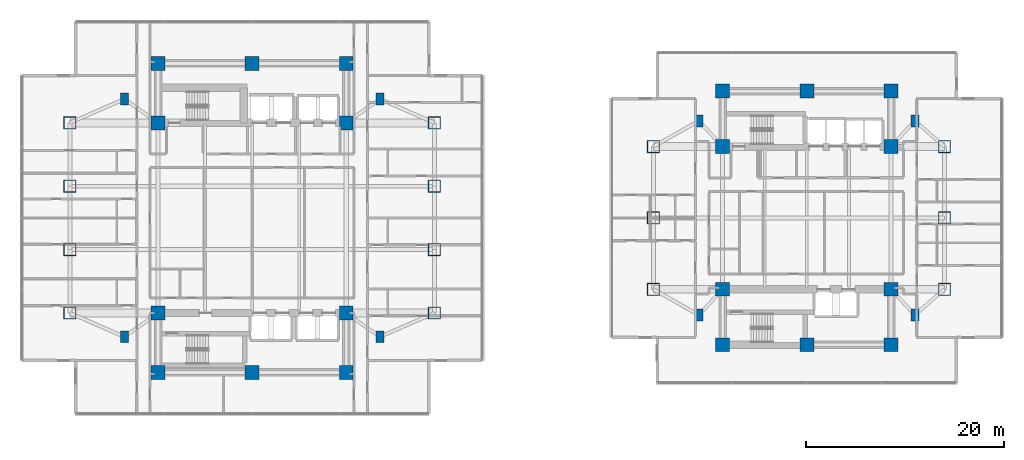
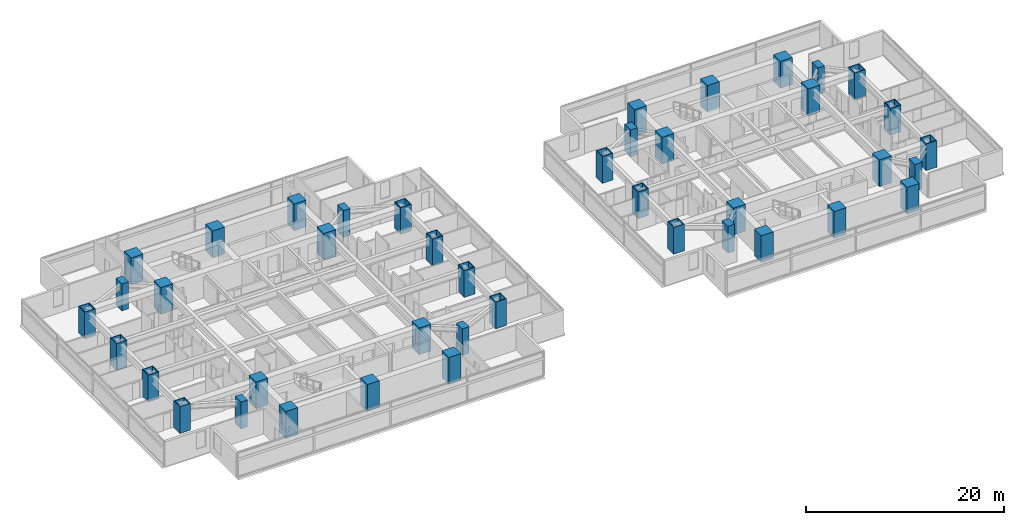
# One storey, part 1 of 26: 42 columns.
"""IFC4 building model written with IfcOpenShell, lengths in metres."""

import ifcopenshell
import ifcopenshell.guid

model = None  # the IFC model being written
_history = None  # IfcOwnerHistory: only IFC2X3 demands one
_inside = {}  # id of a spatial element -> (the spatial element, [elements in it])
_under = {}  # id of a project, library or spatial element -> (it, [spatial elements below it])
_declared = {}  # id of a project -> (the project, [libraries it declares])
_typed = {}  # id of a type object -> (the type object, [elements of that type])
_made_of = {}  # id of a material, layer set ... -> (it, [elements and type objects made of it])


def new_model(schema):
    """Start an empty IFC model of exactly this schema.

    Asked for "IFC4X3", IfcOpenShell would pick the latest addendum, in which some entities
    have other attributes; the version numbers below select the first issue.
    IFC2X3 requires an IfcOwnerHistory on every rooted entity: one is made here for all.
    """
    global model, _history
    if schema == "IFC4X3":
        model = ifcopenshell.file(schema_version=(4, 3, 0, 0))
    else:
        model = ifcopenshell.file(schema=schema)
    _inside.clear()
    _under.clear()
    _declared.clear()
    _typed.clear()
    _made_of.clear()
    _history = None
    if model.schema == "IFC2X3":
        org = make("IfcOrganization", Name="unknown")
        user = make(
            "IfcPersonAndOrganization",
            ThePerson=make("IfcPerson", FamilyName="unknown"),
            TheOrganization=org,
        )
        app = make(
            "IfcApplication",
            ApplicationDeveloper=org,
            Version="unknown",
            ApplicationFullName="unknown",
            ApplicationIdentifier="unknown",
        )
        _history = make(
            "IfcOwnerHistory",
            OwningUser=user,
            OwningApplication=app,
            ChangeAction="ADDED",
            CreationDate=0,
        )
    return model


def make(cls, **values):
    """One entity of the class cls with the attributes given. An attribute that is None is left unset."""
    return model.create_entity(
        cls, **{name: value for name, value in values.items() if value is not None}
    )


def rooted(cls, **values):
    """An entity with a GlobalId (a new one), such as an element, a storey or a relation."""
    return make(cls, GlobalId=ifcopenshell.guid.new(), OwnerHistory=_history, **values)


def si_unit(unit_type, name, prefix=None):
    """IfcSIUnit, for example si_unit("LENGTHUNIT", "METRE", prefix="MILLI")."""
    return make("IfcSIUnit", UnitType=unit_type, Prefix=prefix, Name=name)


def assignment(units):
    """IfcUnitAssignment: the units of a project."""
    return None if units is None else make("IfcUnitAssignment", Units=units)


def point(xyz):
    """IfcCartesianPoint."""
    return None if xyz is None else make("IfcCartesianPoint", Coordinates=xyz)


def direction(xyz):
    """IfcDirection."""
    return None if xyz is None else make("IfcDirection", DirectionRatios=xyz)


def frame(location, z_axis=None, x_axis=None):
    """IfcAxis2Placement3D, a coordinate frame: its origin and axes. An axis left out is left unset."""
    return make(
        "IfcAxis2Placement3D",
        Location=point(location),
        Axis=direction(z_axis),
        RefDirection=direction(x_axis),
    )


def frame_2d(location, x_axis=None):
    """IfcAxis2Placement2D, a coordinate frame in the plane: its origin and x axis."""
    return make(
        "IfcAxis2Placement2D", Location=point(location), RefDirection=direction(x_axis)
    )


def origin():
    """The frame at (0, 0, 0) with its axes left unset."""
    return frame((0.0, 0.0, 0.0))


def origin_2d():
    """The frame at (0, 0) in the plane with its x axis left unset."""
    return frame_2d((0.0, 0.0))


def place(relative_to, where):
    """IfcLocalPlacement: puts the frame where relative to a parent placement (None: the world)."""
    return make(
        "IfcLocalPlacement", PlacementRelTo=relative_to, RelativePlacement=where
    )


def context(
    kind, dimensions, precision=None, world=None, true_north=None, identifier=None
):
    """IfcGeometricRepresentationContext, for example the 3D "Model" context."""
    return make(
        "IfcGeometricRepresentationContext",
        ContextIdentifier=identifier,
        ContextType=kind,
        CoordinateSpaceDimension=dimensions,
        Precision=precision,
        WorldCoordinateSystem=world,
        TrueNorth=true_north,
    )


def subcontext(parent, identifier, kind, view, scale=None):
    """IfcGeometricRepresentationSubContext, for example "Body" below "Model"."""
    return make(
        "IfcGeometricRepresentationSubContext",
        ContextIdentifier=identifier,
        ContextType=kind,
        ParentContext=parent,
        TargetScale=scale,
        TargetView=view,
    )


def project(units=None, contexts=None):
    """IfcProject with its units and contexts."""
    return rooted(
        "IfcProject",
        Name="project",
        RepresentationContexts=contexts,
        UnitsInContext=assignment(units),
    )


def spatial(cls, under=None, at=None, **own):
    """A site, building, storey or space (cls), placed at a placement, below another one or the project."""
    s = rooted(cls, ObjectPlacement=at, **own)
    if under is not None:
        _under.setdefault(under.id(), (under, []))[1].append(s)
    return s


def profile(cls, at=None, kind="AREA", **sizes):
    """A parametric profile (cls). Its sizes go by their IFC names, for example OverallWidth=200.0."""
    return make(cls, ProfileType=kind, Position=at, **sizes)


def rectangle(**sizes):
    """IfcRectangleProfileDef."""
    return profile("IfcRectangleProfileDef", **sizes)


def hollow_rectangle(**sizes):
    """IfcRectangleHollowProfileDef."""
    return profile("IfcRectangleHollowProfileDef", **sizes)


def extrude(swept, where, along, depth):
    """IfcExtrudedAreaSolid: the profile swept, set in the frame where, extruded along a direction by depth."""
    return make(
        "IfcExtrudedAreaSolid",
        SweptArea=swept,
        Position=where,
        ExtrudedDirection=direction(along),
        Depth=depth,
    )


def shape(context_of_items, identifier, shape_type, items):
    """IfcShapeRepresentation: the items that make up one representation, for example the "Body"."""
    return make(
        "IfcShapeRepresentation",
        ContextOfItems=context_of_items,
        RepresentationIdentifier=identifier,
        RepresentationType=shape_type,
        Items=items,
    )


def material(Name=None, Category=None):
    """IfcMaterial."""
    return make("IfcMaterial", Name=Name, Category=Category)


def material_profile(
    of_material, cross_section, Name=None, Category=None, Priority=None
):
    """IfcMaterialProfile: a cross section and its material."""
    return make(
        "IfcMaterialProfile",
        Name=Name,
        Material=of_material,
        Profile=cross_section,
        Priority=Priority,
        Category=Category,
    )


def profile_set(profiles, Name=None, composite=None):
    """IfcMaterialProfileSet."""
    return make(
        "IfcMaterialProfileSet",
        Name=Name,
        MaterialProfiles=profiles,
        CompositeProfile=composite,
    )


def made_of(thing, what):
    """Note that an element or type object is made of a material, layer set ...; save() writes the relation."""
    if what is not None:
        _made_of.setdefault(what.id(), (what, []))[1].append(thing)
    return thing


def type_object(cls, material=None, **own):
    """A type object (cls), such as IfcWallType, which elements share."""
    return made_of(rooted(cls, **own), material)


def element(
    cls,
    number,
    at=None,
    inside=None,
    cuts=None,
    type_object=None,
    material=None,
    context=None,
    identifier="Body",
    shape_type=None,
    held_by="IfcProductDefinitionShape",
    body=None,
    shapes=None,
    **own,
):
    """One element of the class cls, such as IfcWall. Its Tag is "e" and its number.

    at: its placement. inside: the storey or other place that contains it. cuts: it is an
    opening in that element (IfcRelVoidsElement). A single representation is given by context,
    identifier, shape_type and body (its items); several are given by shapes. held_by: the class
    of the entity that holds the representations. save() writes the other relations.
    """
    e = rooted(cls, Tag="e%d" % number, ObjectPlacement=at, **own)
    if body is not None:
        shapes = [shape(context, identifier, shape_type, body)]
    if shapes is not None:
        e.Representation = make(held_by, Representations=shapes)
    if inside is not None:
        _inside.setdefault(inside.id(), (inside, []))[1].append(e)
    if cuts is not None:
        rooted(
            "IfcRelVoidsElement", RelatingBuildingElement=cuts, RelatedOpeningElement=e
        )
    if type_object is not None:
        _typed.setdefault(type_object.id(), (type_object, []))[1].append(e)
    return made_of(e, material)


def aggregate(whole, parts):
    """IfcRelAggregates: a whole, such as a stair, and the parts it consists of."""
    return rooted("IfcRelAggregates", RelatingObject=whole, RelatedObjects=parts)


def save(model, path):
    """Write the relations noted so far, then the file.

    IfcRelAggregates (storeys below a building ...), IfcRelContainedInSpatialStructure (elements
    in a storey), IfcRelDefinesByType, IfcRelAssociatesMaterial and IfcRelDeclares: one each for
    every whole, place, type object, material and project.
    """
    for whole, parts in _under.values():
        aggregate(whole, parts)
    for where, things in _inside.values():
        rooted(
            "IfcRelContainedInSpatialStructure",
            RelatedElements=things,
            RelatingStructure=where,
        )
    for kind, things in _typed.values():
        rooted("IfcRelDefinesByType", RelatedObjects=things, RelatingType=kind)
    for what, things in _made_of.values():
        rooted("IfcRelAssociatesMaterial", RelatedObjects=things, RelatingMaterial=what)
    for by, libraries in _declared.values():
        rooted("IfcRelDeclares", RelatingContext=by, RelatedDefinitions=libraries)
    model.write(path)


model = new_model("IFC4")

# Units and contexts
model_context = context("Model", 3, precision=1e-05, world=origin(), true_north=direction((0.0, 1.0)))
body_context = subcontext(model_context, "Body", "Model", "MODEL_VIEW")
ifc_project = project(units=[si_unit("LENGTHUNIT", "METRE"), si_unit("AREAUNIT", "SQUARE_METRE"), si_unit("VOLUMEUNIT", "CUBIC_METRE"), si_unit("PLANEANGLEUNIT", "RADIAN"), si_unit("MASSUNIT", "GRAM", prefix="KILO")], contexts=[model_context])

# Site, building, storey
site_placement = place(None, origin())
site = spatial("IfcSite", under=ifc_project, at=site_placement, CompositionType="ELEMENT")
building_placement = place(site_placement, origin())
building = spatial("IfcBuilding", under=site, at=building_placement, Name="Mirazonda Arch Towers", CompositionType="ELEMENT")
storey_placement = place(building_placement, frame((0.0, 0.0, 48.800048828125)))
storey = spatial("IfcBuildingStorey", under=building, at=storey_placement, Name="L13", CompositionType="ELEMENT", Elevation=48.800048828125)

# Columns
ifc_material_1 = material(Name="Concrete C60/75", Category="concrete")
ifc_material_profile_1 = material_profile(ifc_material_1, rectangle(XDim=1.39990234375, YDim=1.39990234375, at=origin_2d()), Name="RC1400x1400")
ifc_profile_set_1 = profile_set([ifc_material_profile_1], Name="Concrete C60/75")
column_type_1 = type_object("IfcColumnType", Name="COL-INT-RC1400x1400", PredefinedType="COLUMN", material=ifc_profile_set_1)
for number, where, z_axis, x_axis, name in (
    (1, (11.0, 12.39990234375, 0.0), (0.0, 0.0, 1.0), (1.0, 0.0, 0.0), "L13 T1 Core Column 01"),
    (2, (20.5, 12.39990234375, 0.0), (0.0, 0.0, 1.0), (1.0, 0.0, 0.0), "L13 T1 Core Column 02"),
    (3, (30.0, 12.39990234375, 0.0), (0.0, 0.0, 1.0), (1.0, 0.0, 0.0), "L13 T1 Core Column 03"),
    (4, (11.0, 18.39990234375, 0.0), (0.0, 0.0, 1.0), (1.0, 0.0, 0.0), "L13 T1 Core Column 04"),
    (5, (30.0, 18.39990234375, 0.0), (0.0, 0.0, 1.0), (1.0, 0.0, 0.0), "L13 T1 Core Column 05"),
    (6, (11.0, 37.60009765625, 0.0), (0.0, 0.0, 1.0), (1.0, 0.0, 0.0), "L13 T1 Core Column 06"),
    (7, (30.0, 37.60009765625, 0.0), (0.0, 0.0, 1.0), (1.0, 0.0, 0.0), "L13 T1 Core Column 07"),
    (8, (11.0, 43.60009765625, 0.0), (0.0, 0.0, 1.0), (1.0, 0.0, 0.0), "L13 T1 Core Column 08"),
    (9, (20.5, 43.60009765625, 0.0), (0.0, 0.0, 1.0), (1.0, 0.0, 0.0), "L13 T1 Core Column 09"),
    (10, (30.0, 43.60009765625, 0.0), (0.0, 0.0, 1.0), (1.0, 0.0, 0.0), "L13 T1 Core Column 10"),
    (11, (68.0, 15.199951171875, 0.0), (0.0, 0.0, 1.0), (1.0, 0.0, 0.0), "L13 T2 Core Column 01"),
    (12, (76.5, 15.199951171875, 0.0), (0.0, 0.0, 1.0), (1.0, 0.0, 0.0), "L13 T2 Core Column 02"),
    (13, (85.0, 15.199951171875, 0.0), (0.0, 0.0, 1.0), (1.0, 0.0, 0.0), "L13 T2 Core Column 03"),
    (14, (68.0, 20.800048828125, 0.0), (0.0, 0.0, 1.0), (1.0, 0.0, 0.0), "L13 T2 Core Column 04"),
    (15, (85.0, 20.800048828125, 0.0), (0.0, 0.0, 1.0), (1.0, 0.0, 0.0), "L13 T2 Core Column 05"),
    (16, (68.0, 35.199951171875, 0.0), (0.0, 0.0, 1.0), (1.0, 0.0, 0.0), "L13 T2 Core Column 06"),
    (17, (85.0, 35.199951171875, 0.0), (0.0, 0.0, 1.0), (1.0, 0.0, 0.0), "L13 T2 Core Column 07"),
    (18, (68.0, 40.800048828125, 0.0), (0.0, 0.0, 1.0), (1.0, 0.0, 0.0), "L13 T2 Core Column 08"),
    (19, (76.5, 40.800048828125, 0.0), (0.0, 0.0, 1.0), (1.0, 0.0, 0.0), "L13 T2 Core Column 09"),
    (20, (85.0, 40.800048828125, 0.0), (0.0, 0.0, 1.0), (1.0, 0.0, 0.0), "L13 T2 Core Column 10"),
):
    element("IfcColumn", number, at=place(storey_placement, frame(where, z_axis=z_axis, x_axis=x_axis)), inside=storey, type_object=column_type_1, Name=name, PredefinedType="COLUMN", context=body_context, shape_type="SweptSolid", body=[
        extrude(rectangle(XDim=1.39990234375, YDim=1.39990234375, at=origin_2d()), origin(), (0.0, 0.0, 1.0), 3.300048828125),
    ])
ifc_material_2 = material(Name="Steel ASTM A572 Grade 50", Category="steel")
ifc_material_profile_2 = material_profile(ifc_material_2, hollow_rectangle(XDim=1.25, YDim=1.25, WallThickness=0.070068359375, at=origin_2d()), Name="BOX1250x1250x70")
ifc_profile_set_2 = profile_set([ifc_material_profile_2], Name="Steel ASTM A572 Grade 50")
column_type_2 = type_object("IfcColumnType", Name="MCOL-EXT-BOX1250x1250x70", PredefinedType="COLUMN", material=ifc_profile_set_2)
for number, where, z_axis, x_axis, name in (
    (21, (2.10009765625, 18.39990234375, 0.0), (0.0, 0.0, 1.0), (1.0, 0.0, 0.0), "L13 T1 Composite Mega-Column 01"),
    (22, (2.10009765625, 24.800048828125, 0.0), (0.0, 0.0, 1.0), (1.0, 0.0, 0.0), "L13 T1 Composite Mega-Column 02"),
    (23, (2.10009765625, 31.199951171875, 0.0), (0.0, 0.0, 1.0), (1.0, 0.0, 0.0), "L13 T1 Composite Mega-Column 03"),
    (24, (2.10009765625, 37.60009765625, 0.0), (0.0, 0.0, 1.0), (1.0, 0.0, 0.0), "L13 T1 Composite Mega-Column 04"),
    (25, (38.89990234375, 18.39990234375, 0.0), (0.0, 0.0, 1.0), (1.0, 0.0, 0.0), "L13 T1 Composite Mega-Column 05"),
    (26, (38.89990234375, 24.800048828125, 0.0), (0.0, 0.0, 1.0), (1.0, 0.0, 0.0), "L13 T1 Composite Mega-Column 06"),
    (27, (38.89990234375, 31.199951171875, 0.0), (0.0, 0.0, 1.0), (1.0, 0.0, 0.0), "L13 T1 Composite Mega-Column 07"),
    (28, (38.89990234375, 37.60009765625, 0.0), (0.0, 0.0, 1.0), (1.0, 0.0, 0.0), "L13 T1 Composite Mega-Column 08"),
    (29, (61.0, 20.800048828125, 0.0), (0.0, 0.0, 1.0), (1.0, 0.0, 0.0), "L13 T2 Composite Mega-Column 01"),
    (30, (61.0, 28.0, 0.0), (0.0, 0.0, 1.0), (1.0, 0.0, 0.0), "L13 T2 Composite Mega-Column 02"),
    (31, (61.0, 35.199951171875, 0.0), (0.0, 0.0, 1.0), (1.0, 0.0, 0.0), "L13 T2 Composite Mega-Column 03"),
    (32, (90.39990234375, 20.800048828125, 0.0), (0.0, 0.0, 1.0), (1.0, 0.0, 0.0), "L13 T2 Composite Mega-Column 04"),
    (33, (90.39990234375, 28.0, 0.0), (0.0, 0.0, 1.0), (1.0, 0.0, 0.0), "L13 T2 Composite Mega-Column 05"),
    (34, (90.39990234375, 35.199951171875, 0.0), (0.0, 0.0, 1.0), (1.0, 0.0, 0.0), "L13 T2 Composite Mega-Column 06"),
):
    element("IfcColumn", number, at=place(storey_placement, frame(where, z_axis=z_axis, x_axis=x_axis)), inside=storey, type_object=column_type_2, Name=name, PredefinedType="COLUMN", context=body_context, shape_type="SweptSolid", body=[
        extrude(hollow_rectangle(XDim=1.25, YDim=1.25, WallThickness=0.070068359375, at=origin_2d()), origin(), (0.0, 0.0, 1.0), 3.300048828125),
    ])
ifc_material_profile_3 = material_profile(ifc_material_1, rectangle(XDim=0.800048828125, YDim=1.199951171875, at=origin_2d()), Name="RC1200x800")
ifc_profile_set_3 = profile_set([ifc_material_profile_3], Name="Concrete C60/75")
column_type_3 = type_object("IfcColumnType", Name="PIL-EXT-RC1200x800", PredefinedType="PILASTER", material=ifc_profile_set_3)
for number, where, z_axis, x_axis, name in (
    (35, (7.60009765625, 16.0, 0.0), (0.0, 0.0, 1.0), (1.0, 0.0, 0.0), "L13 T1 Corner Pilaster 01"),
    (36, (33.39990234375, 16.0, 0.0), (0.0, 0.0, 1.0), (1.0, 0.0, 0.0), "L13 T1 Corner Pilaster 02"),
    (37, (7.60009765625, 40.0, 0.0), (0.0, 0.0, 1.0), (1.0, 0.0, 0.0), "L13 T1 Corner Pilaster 03"),
    (38, (33.39990234375, 40.0, 0.0), (0.0, 0.0, 1.0), (1.0, 0.0, 0.0), "L13 T1 Corner Pilaster 04"),
    (39, (65.60009765625, 18.199951171875, 0.0), (0.0, 0.0, 1.0), (1.0, 0.0, 0.0), "L13 T2 Corner Pilaster 01"),
    (40, (87.39990234375, 18.199951171875, 0.0), (0.0, 0.0, 1.0), (1.0, 0.0, 0.0), "L13 T2 Corner Pilaster 02"),
    (41, (65.60009765625, 37.800048828125, 0.0), (0.0, 0.0, 1.0), (1.0, 0.0, 0.0), "L13 T2 Corner Pilaster 03"),
    (42, (87.39990234375, 37.800048828125, 0.0), (0.0, 0.0, 1.0), (1.0, 0.0, 0.0), "L13 T2 Corner Pilaster 04"),
):
    element("IfcColumn", number, at=place(storey_placement, frame(where, z_axis=z_axis, x_axis=x_axis)), inside=storey, type_object=column_type_3, Name=name, PredefinedType="PILASTER", context=body_context, shape_type="SweptSolid", body=[
        extrude(rectangle(XDim=0.800048828125, YDim=1.199951171875, at=origin_2d()), origin(), (0.0, 0.0, 1.0), 3.300048828125),
    ])

save(model, "model.ifc")
